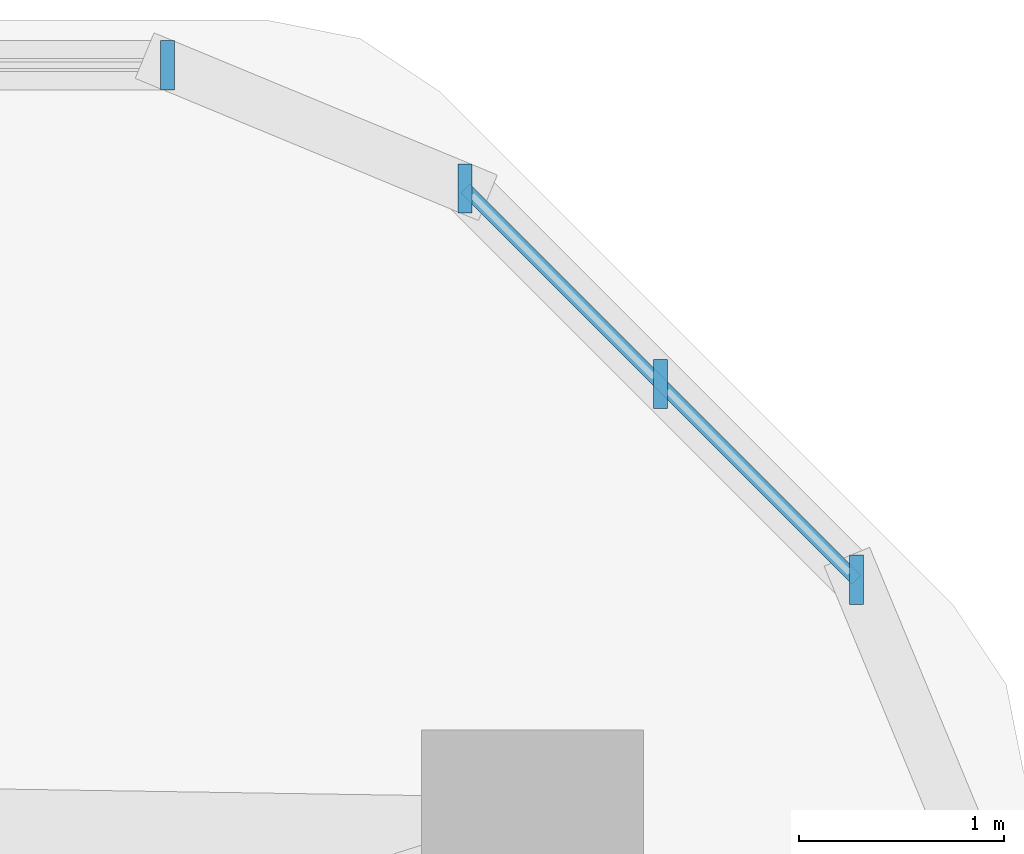
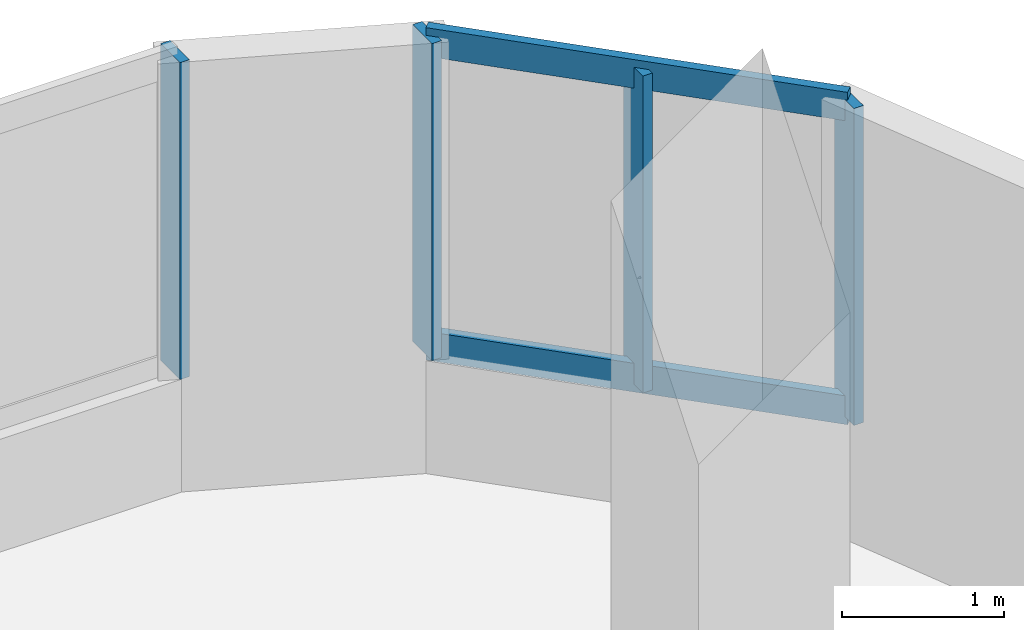
# One storey, part 11 of 21: 6 members, 2 elements without a shape of their own.
"""IFC4 building model written with IfcOpenShell, lengths in metres."""

from ifc_helpers import new_model, si_unit, derived_unit, direction, frame, origin, origin_2d, place, context, subcontext, project, spatial, rectangle, extrude, material, material_profile, profile_set, type_object, element, aggregate, save


model = new_model("IFC4")

# Units and contexts
model_context = context("Model", 3, precision=1e-05, world=origin(), true_north=direction((0.0, 1.0)))
body_context = subcontext(model_context, "Body", "Model", "MODEL_VIEW")
ifc_project = project(units=[si_unit("LENGTHUNIT", "METRE"), si_unit("AREAUNIT", "SQUARE_METRE"), si_unit("VOLUMEUNIT", "CUBIC_METRE"), si_unit("PLANEANGLEUNIT", "RADIAN"), si_unit("MASSUNIT", "GRAM", prefix="KILO"), derived_unit("THERMALTRANSMITTANCEUNIT", [(si_unit("POWERUNIT", "WATT"), 1), (si_unit("LENGTHUNIT", "METRE"), -2), (si_unit("THERMODYNAMICTEMPERATUREUNIT", "KELVIN"), -1)])], contexts=[model_context])

# Site, building, storey
site_placement = place(None, origin())
site = spatial("IfcSite", under=ifc_project, at=site_placement, CompositionType="ELEMENT")
building_placement = place(site_placement, origin())
building = spatial("IfcBuilding", under=site, at=building_placement, Name="Koralith Skygarden Medical Center", CompositionType="ELEMENT")
storey_placement = place(building_placement, frame((0.0, 0.0, 5.39990234375)))
storey = spatial("IfcBuildingStorey", under=building, at=storey_placement, Name="L01", CompositionType="ELEMENT", Elevation=5.39990234375)

# Curtain wall, members
ifc_material_1 = material(Name="Clear Laminated Glass", Category="glass")
curtain_wall_type = type_object("IfcCurtainWallType", Name="CW-1 Transit & Podium Acoustic Curtain Wall", PredefinedType="NOTDEFINED", material=ifc_material_1)
curtain_wall_1_placement = place(storey_placement, origin())
curtain_wall_1 = element("IfcCurtainWall", 1, at=curtain_wall_1_placement, inside=storey, type_object=curtain_wall_type, Name="Curtain Wall CW-L01-NE", PredefinedType="NOTDEFINED")
ifc_material_2 = material(Name="Aluminium 6063-T6", Category="aluminium")
ifc_material_profile_1 = material_profile(ifc_material_2, rectangle(XDim=0.068115234375, YDim=0.239990234375, at=origin_2d()), Name="MUL68X240")
ifc_profile_set_1 = profile_set([ifc_material_profile_1], Name="Aluminium 6063-T6")
member_type_1 = type_object("IfcMemberType", Name="CW-1 Extruded Mullion 68x240", PredefinedType="MULLION", material=ifc_profile_set_1)
member_1_placement = place(storey_placement, frame((72.97900390625, 48.8720703125, 0.85009765625), z_axis=(0.0, 0.0, 1.0), x_axis=(1.0, 0.0, 0.0)))
member_1 = element("IfcMember", 2, at=member_1_placement, type_object=member_type_1, Name="CW-L01-NE Mullion 1", PredefinedType="MULLION", context=body_context, shape_type="SweptSolid", body=[
    extrude(rectangle(XDim=0.068115234375, YDim=0.239990234375, at=origin_2d()), origin(), (0.0, 0.0, 1.0), 2.389892578125),
])
member_2_placement = place(storey_placement, frame((72.02490234375, 49.825927734375, 0.85009765625), z_axis=(0.0, 0.0, 1.0), x_axis=(1.0, 0.0, 0.0)))
member_2 = element("IfcMember", 3, at=member_2_placement, type_object=member_type_1, Name="CW-L01-NE Mullion 2", PredefinedType="MULLION", context=body_context, shape_type="SweptSolid", body=[
    extrude(rectangle(XDim=0.068115234375, YDim=0.239990234375, at=origin_2d()), origin(), (0.0, 0.0, 1.0), 2.389892578125),
])
member_3_placement = place(storey_placement, frame((71.072021484375, 50.779052734375, 0.85009765625), z_axis=(0.0, 0.0, 1.0), x_axis=(1.0, 0.0, 0.0)))
member_3 = element("IfcMember", 4, at=member_3_placement, type_object=member_type_1, Name="CW-L01-NE Mullion 3", PredefinedType="MULLION", context=body_context, shape_type="SweptSolid", body=[
    extrude(rectangle(XDim=0.068115234375, YDim=0.239990234375, at=origin_2d()), origin(), (0.0, 0.0, 1.0), 2.389892578125),
])

# Curtain wall, member
curtain_wall_2_placement = place(storey_placement, origin())
curtain_wall_2 = element("IfcCurtainWall", 5, at=curtain_wall_2_placement, inside=storey, type_object=curtain_wall_type, Name="Curtain Wall CW-L01-N", PredefinedType="NOTDEFINED")
member_4_placement = place(storey_placement, frame((69.62109375, 51.3798828125, 0.85009765625), z_axis=(0.0, 0.0, 1.0), x_axis=(1.0, 0.0, 0.0)))
member_4 = element("IfcMember", 6, at=member_4_placement, type_object=member_type_1, Name="CW-L01-N Mullion 1", PredefinedType="MULLION", context=body_context, shape_type="SweptSolid", body=[
    extrude(rectangle(XDim=0.068115234375, YDim=0.239990234375, at=origin_2d()), origin(), (0.0, 0.0, 1.0), 2.389892578125),
])
aggregate(curtain_wall_2, [member_4])

# Member
ifc_material_profile_2 = material_profile(ifc_material_2, rectangle(XDim=0.06298828125, YDim=0.216064453125, at=origin_2d()), Name="TRN63X216")
ifc_profile_set_2 = profile_set([ifc_material_profile_2], Name="Aluminium 6063-T6")
member_type_2 = type_object("IfcMemberType", Name="CW-1 Thermal Transom 63x216", PredefinedType="USERDEFINED", material=ifc_profile_set_2)
member_5_placement = place(storey_placement, frame((72.97900390625, 48.8720703125, 0.900146484375), z_axis=(-0.707106781187, 0.707106781187, 0.0), x_axis=(-0.707106781187, -0.707106781187, 0.0)))
member_5 = element("IfcMember", 7, at=member_5_placement, type_object=member_type_2, Name="CW-L01-NE Transom 1", ObjectType="TRANSOM", PredefinedType="USERDEFINED", context=body_context, shape_type="SweptSolid", body=[
    extrude(rectangle(XDim=0.06298828125, YDim=0.216064453125, at=origin_2d()), origin(), (0.0, 0.0, 1.0), 2.69677734375),
])

member_6_placement = place(storey_placement, frame((72.97900390625, 48.8720703125, 3.190185546875), z_axis=(-0.707106781187, 0.707106781187, 0.0), x_axis=(-0.707106781187, -0.707106781187, 0.0)))
member_6 = element("IfcMember", 8, at=member_6_placement, type_object=member_type_2, Name="CW-L01-NE Transom 2", ObjectType="TRANSOM", PredefinedType="USERDEFINED", context=body_context, shape_type="SweptSolid", body=[
    extrude(rectangle(XDim=0.06298828125, YDim=0.216064453125, at=origin_2d()), origin(), (0.0, 0.0, 1.0), 2.69677734375),
])

aggregate(curtain_wall_1, [member_1, member_2, member_3, member_5, member_6])

save(model, "model.ifc")
